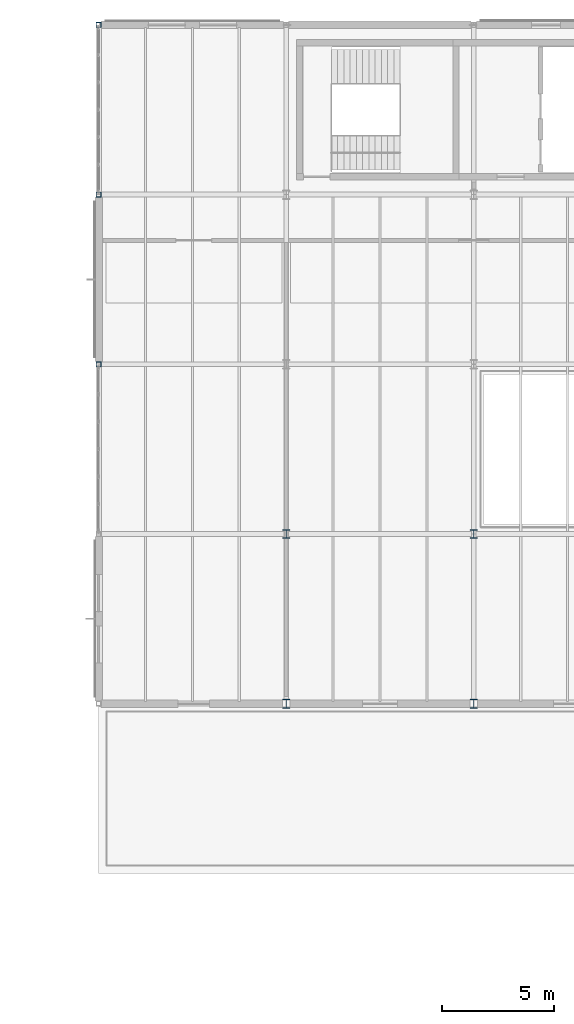
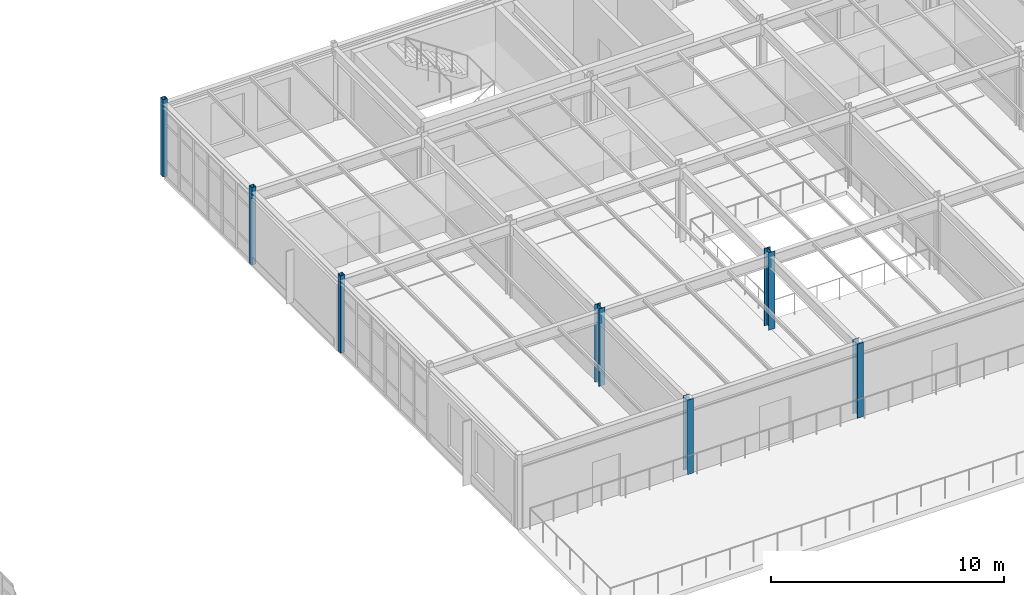
# One storey, part 9 of 114: 7 columns.
"""IFC4 building model written with IfcOpenShell, lengths in metres."""

from ifc_helpers import new_model, si_unit, direction, frame, origin, origin_2d, place, context, subcontext, project, spatial, hollow_rectangle, i_section, extrude, material, material_profile, profile_set, type_object, element, save


model = new_model("IFC4")

# Units and contexts
model_context = context("Model", 3, precision=1e-05, world=origin(), true_north=direction((0.0, 1.0)))
body_context = subcontext(model_context, "Body", "Model", "MODEL_VIEW")
ifc_project = project(units=[si_unit("LENGTHUNIT", "METRE"), si_unit("AREAUNIT", "SQUARE_METRE"), si_unit("VOLUMEUNIT", "CUBIC_METRE"), si_unit("PLANEANGLEUNIT", "RADIAN"), si_unit("MASSUNIT", "GRAM", prefix="KILO")], contexts=[model_context])

# Site, building, storey
site_placement = place(None, origin())
site = spatial("IfcSite", under=ifc_project, at=site_placement, CompositionType="ELEMENT")
building_placement = place(site_placement, origin())
building = spatial("IfcBuilding", under=site, at=building_placement, Name="Montecoro Central Library", CompositionType="ELEMENT")
storey_placement = place(building_placement, frame((0.0, 0.0, 13.260009765625)))
storey = spatial("IfcBuildingStorey", under=building, at=storey_placement, Name="L03", CompositionType="ELEMENT", Elevation=13.260009765625)

# Columns
ifc_material = material(Name="Steel S355", Category="steel")
ifc_material_profile_1 = material_profile(ifc_material, i_section(OverallWidth=0.300048828125, OverallDepth=0.39990234375, WebThickness=0.013427734375, FlangeThickness=0.02392578125, at=origin_2d()), Name="HEB 400")
ifc_profile_set_1 = profile_set([ifc_material_profile_1], Name="Steel S355")
column_type_1 = type_object("IfcColumnType", Name="COL-HEB400", PredefinedType="COLUMN", material=ifc_profile_set_1)
column_1_placement = place(storey_placement, frame((74.800048828125, 88.60009765625, 0.0), z_axis=(0.0, 0.0, 1.0), x_axis=(1.0, 0.0, 0.0)))
element("IfcColumn", 1, at=column_1_placement, inside=storey, type_object=column_type_1, Name="V2-L03-COL-10-M", PredefinedType="COLUMN", context=body_context, shape_type="SweptSolid", body=[
    extrude(i_section(OverallWidth=0.300048828125, OverallDepth=0.39990234375, WebThickness=0.013427734375, FlangeThickness=0.02392578125, at=origin_2d()), origin(), (0.0, 0.0, 1.0), 3.885009765625),
])
column_2_placement = place(storey_placement, frame((74.800048828125, 96.199951171875, 0.0), z_axis=(0.0, 0.0, 1.0), x_axis=(1.0, 0.0, 0.0)))
element("IfcColumn", 2, at=column_2_placement, inside=storey, type_object=column_type_1, Name="V2-L03-COL-10-N", PredefinedType="COLUMN", context=body_context, shape_type="SweptSolid", body=[
    extrude(i_section(OverallWidth=0.300048828125, OverallDepth=0.39990234375, WebThickness=0.013427734375, FlangeThickness=0.02392578125, at=origin_2d()), origin(), (0.0, 0.0, 1.0), 4.054931640625),
])
column_3_placement = place(storey_placement, frame((83.199951171875, 88.60009765625, 0.0), z_axis=(0.0, 0.0, 1.0), x_axis=(1.0, 0.0, 0.0)))
element("IfcColumn", 3, at=column_3_placement, inside=storey, type_object=column_type_1, Name="V2-L03-COL-11-M", PredefinedType="COLUMN", context=body_context, shape_type="SweptSolid", body=[
    extrude(i_section(OverallWidth=0.300048828125, OverallDepth=0.39990234375, WebThickness=0.013427734375, FlangeThickness=0.02392578125, at=origin_2d()), origin(), (0.0, 0.0, 1.0), 3.885009765625),
])
column_4_placement = place(storey_placement, frame((83.199951171875, 96.199951171875, 0.0), z_axis=(0.0, 0.0, 1.0), x_axis=(1.0, 0.0, 0.0)))
element("IfcColumn", 4, at=column_4_placement, inside=storey, type_object=column_type_1, Name="V2-L03-COL-11-N", PredefinedType="COLUMN", context=body_context, shape_type="SweptSolid", body=[
    extrude(i_section(OverallWidth=0.300048828125, OverallDepth=0.39990234375, WebThickness=0.013427734375, FlangeThickness=0.02392578125, at=origin_2d()), origin(), (0.0, 0.0, 1.0), 4.054931640625),
])
ifc_material_profile_2 = material_profile(ifc_material, hollow_rectangle(XDim=0.219970703125, YDim=0.219970703125, WallThickness=0.010009765625, at=origin_2d()), Name="SHS 220x220x10.0")
ifc_profile_set_2 = profile_set([ifc_material_profile_2], Name="Steel S355")
column_type_2 = type_object("IfcColumnType", Name="COL-SHS220", PredefinedType="COLUMN", material=ifc_profile_set_2)
for number, where, z_axis, x_axis, name in (
    (5, (66.39990234375, 103.800048828125, 0.0), (0.0, 0.0, 1.0), (1.0, 0.0, 0.0), "V2-L03-COL-9-P"),
    (6, (66.39990234375, 111.39990234375, 0.0), (0.0, 0.0, 1.0), (1.0, 0.0, 0.0), "V2-L03-COL-9-Q"),
    (7, (66.39990234375, 119.0, 0.0), (0.0, 0.0, 1.0), (1.0, 0.0, 0.0), "V2-L03-COL-9-R"),
):
    element("IfcColumn", number, at=place(storey_placement, frame(where, z_axis=z_axis, x_axis=x_axis)), inside=storey, type_object=column_type_2, Name=name, PredefinedType="COLUMN", context=body_context, shape_type="SweptSolid", body=[
        extrude(hollow_rectangle(XDim=0.219970703125, YDim=0.219970703125, WallThickness=0.010009765625, at=origin_2d()), origin(), (0.0, 0.0, 1.0), 4.054931640625),
    ])

save(model, "model.ifc")
